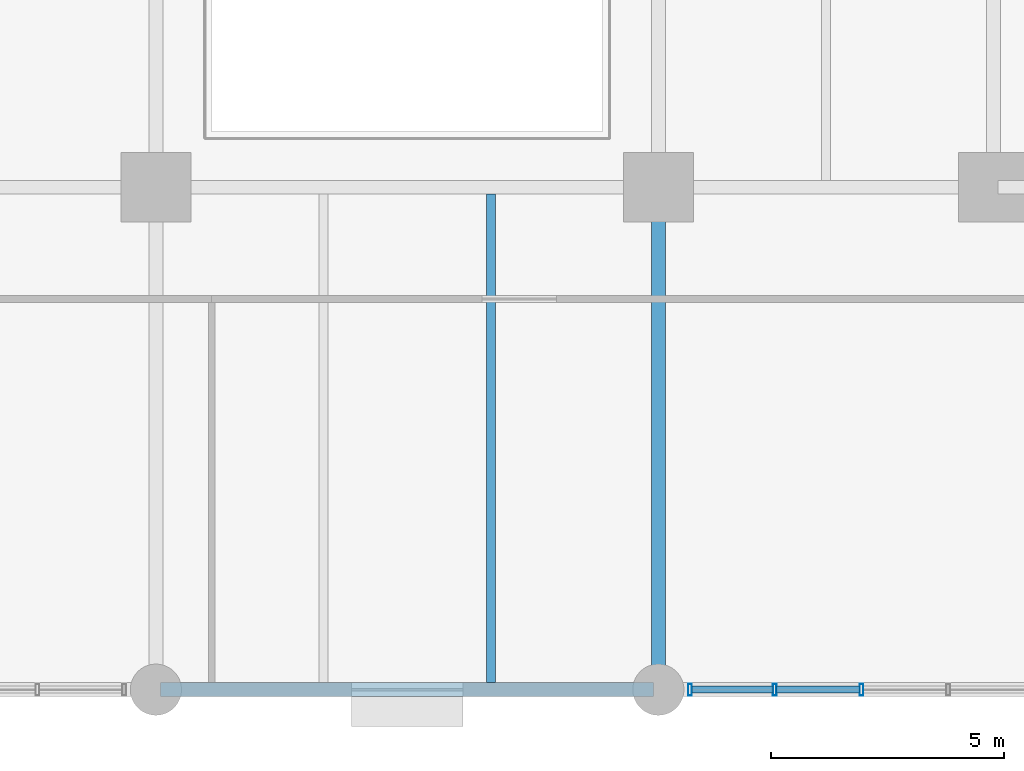
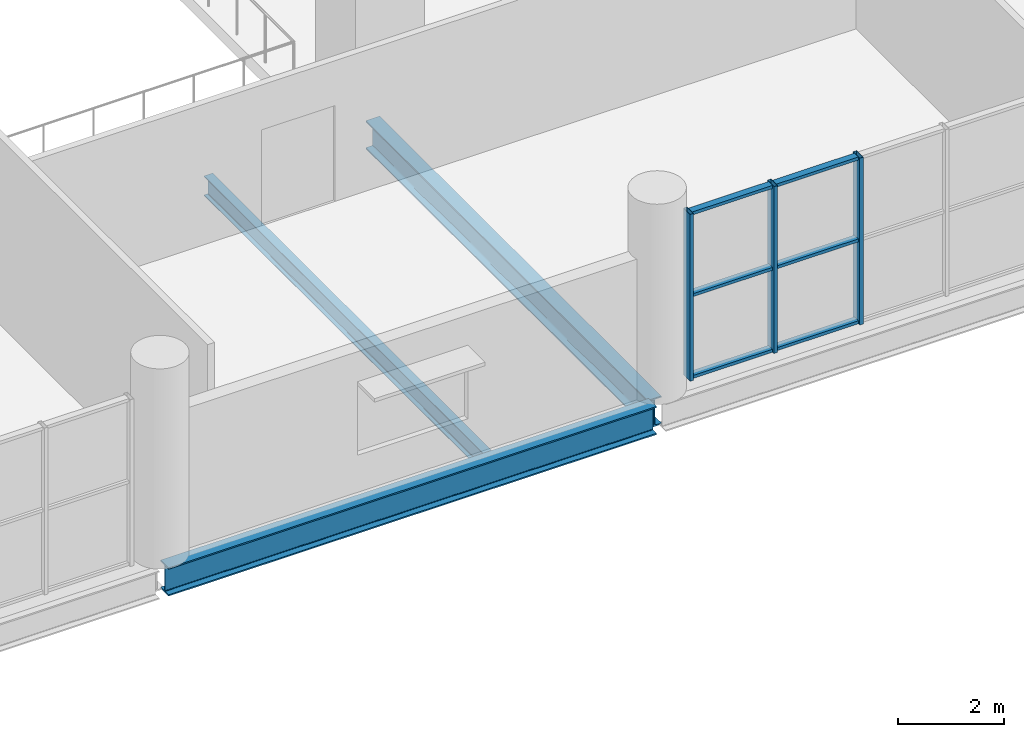
# One storey, part 6 of 16: 9 members, 3 beams, 1 element without a shape of its own.
"""IFC4 building model written with IfcOpenShell, lengths in metres."""

from ifc_helpers import new_model, si_unit, direction, frame, origin, origin_2d, place, context, subcontext, project, spatial, hollow_rectangle, i_section, extrude, material, layer, layer_set, material_profile, profile_set, type_object, element, aggregate, save


model = new_model("IFC4")

# Units and contexts
model_context = context("Model", 3, precision=1e-05, world=origin(), true_north=direction((0.0, 1.0)))
body_context = subcontext(model_context, "Body", "Model", "MODEL_VIEW")
ifc_project = project(units=[si_unit("LENGTHUNIT", "METRE"), si_unit("AREAUNIT", "SQUARE_METRE"), si_unit("VOLUMEUNIT", "CUBIC_METRE"), si_unit("PLANEANGLEUNIT", "RADIAN"), si_unit("MASSUNIT", "GRAM", prefix="KILO")], contexts=[model_context])

# Site, building, storey
site_placement = place(None, origin())
site = spatial("IfcSite", under=ifc_project, at=site_placement, CompositionType="ELEMENT")
building_placement = place(site_placement, origin())
building = spatial("IfcBuilding", under=site, at=building_placement, Name="Solnavia Interchange Tower", CompositionType="ELEMENT")
storey_placement = place(building_placement, frame((0.0, 0.0, 10.199951171875)))
storey = spatial("IfcBuildingStorey", under=building, at=storey_placement, Name="L02", CompositionType="ELEMENT", Elevation=10.199951171875)

# Beams
ifc_material_1 = material(Name="Steel S460", Category="steel")
ifc_material_profile_1 = material_profile(ifc_material_1, i_section(OverallWidth=0.300048828125, OverallDepth=0.64990234375, WebThickness=0.01611328125, FlangeThickness=0.031005859375, FilletRadius=0.027099609375, at=origin_2d()), Name="HEB 650")
ifc_profile_set_1 = profile_set([ifc_material_profile_1], Name="Steel S460")
beam_type_1 = type_object("IfcBeamType", Name="Beam-Girder-HEB650", PredefinedType="BEAM", material=ifc_profile_set_1)
for number, where, z_axis, x_axis, name in (
    (1, (43.300048828125, 0.0, -0.625), (1.0, 0.0, 0.0), (0.0, 1.0, 0.0), "GRD-L02-05 Podium primary girder"),
    (2, (54.0, 0.10009765625, -0.625), (0.0, 1.0, 0.0), (-1.0, 0.0, 0.0), "GRD-L02-67 Podium primary girder"),
):
    element("IfcBeam", number, at=place(storey_placement, frame(where, z_axis=z_axis, x_axis=x_axis)), inside=storey, type_object=beam_type_1, Name=name, PredefinedType="BEAM", context=body_context, shape_type="SweptSolid", body=[
        extrude(i_section(OverallWidth=0.300048828125, OverallDepth=0.64990234375, WebThickness=0.01611328125, FlangeThickness=0.031005859375, FilletRadius=0.027099609375, at=origin_2d()), origin(), (0.0, 0.0, 1.0), 10.599853515625),
    ])
ifc_material_2 = material(Name="Steel S355", Category="steel")
ifc_material_profile_2 = material_profile(ifc_material_2, i_section(OverallWidth=0.18994140625, OverallDepth=0.449951171875, WebThickness=0.009521484375, FlangeThickness=0.0146484375, FilletRadius=0.02099609375, at=origin_2d()), Name="IPE 450")
ifc_profile_set_2 = profile_set([ifc_material_profile_2], Name="Steel S355")
beam_type_2 = type_object("IfcBeamType", Name="Beam-Joist-IPE450", PredefinedType="JOIST", material=ifc_profile_set_2)
beam_placement = place(storey_placement, frame((50.39990234375, 0.14990234375, -0.52490234375), z_axis=(0.0, 1.0, 0.0), x_axis=(-1.0, 0.0, 0.0)))
element("IfcBeam", 3, at=beam_placement, inside=storey, type_object=beam_type_2, Name="JST-L02-31 Podium composite floor joist", PredefinedType="JOIST", context=body_context, shape_type="SweptSolid", body=[
    extrude(i_section(OverallWidth=0.18994140625, OverallDepth=0.449951171875, WebThickness=0.009521484375, FlangeThickness=0.0146484375, FilletRadius=0.02099609375, at=origin_2d()), origin(), (0.0, 0.0, 1.0), 10.5),
])

# Curtain wall, members
ifc_material_3 = material(Name="Aluminium Alloy 6063-T6", Category="aluminium")
ifc_layer = layer(ifc_material_3, 0.27001953125)
ifc_layer_set = layer_set([ifc_layer], Name="Aluminium Alloy 6063-T6")
curtain_wall_type = type_object("IfcCurtainWallType", Name="CurtainWall-Podium-CTW1", PredefinedType="NOTDEFINED", material=ifc_layer_set)
curtain_wall_placement = place(storey_placement, origin())
curtain_wall = element("IfcCurtainWall", 4, at=curtain_wall_placement, inside=storey, type_object=curtain_wall_type, Name="CTW-L02-S06 CTW-1 curtain wall", PredefinedType="NOTDEFINED")
ifc_material_profile_3 = material_profile(ifc_material_3, hollow_rectangle(XDim=0.080078125, YDim=0.25, WallThickness=0.006103515625, at=origin_2d()), Name="ALU 250x80x6")
ifc_profile_set_3 = profile_set([ifc_material_profile_3], Name="Aluminium Alloy 6063-T6")
member_type_1 = type_object("IfcMemberType", Name="CW-Mullion-CWM-1", PredefinedType="MULLION", material=ifc_profile_set_3)
member_1_placement = place(storey_placement, frame((58.367919921875, 0.0, 0.0), z_axis=(0.0, 0.0, 1.0), x_axis=(-1.0, 0.0, 0.0)))
member_1 = element("IfcMember", 5, at=member_1_placement, type_object=member_type_1, Name="CTW-1 mullion 4", PredefinedType="MULLION", context=body_context, shape_type="SweptSolid", body=[
    extrude(hollow_rectangle(XDim=0.080078125, YDim=0.25, WallThickness=0.006103515625, at=origin_2d()), origin(), (0.0, 0.0, 1.0), 3.830078125),
])
member_2_placement = place(storey_placement, frame((56.50390625, 0.0, 0.0), z_axis=(0.0, 0.0, 1.0), x_axis=(-1.0, 0.0, 0.0)))
member_2 = element("IfcMember", 6, at=member_2_placement, type_object=member_type_1, Name="CTW-1 mullion 5", PredefinedType="MULLION", context=body_context, shape_type="SweptSolid", body=[
    extrude(hollow_rectangle(XDim=0.080078125, YDim=0.25, WallThickness=0.006103515625, at=origin_2d()), origin(), (0.0, 0.0, 1.0), 3.830078125),
])
member_3_placement = place(storey_placement, frame((54.679931640625, 0.0, 0.0), z_axis=(0.0, 0.0, 1.0), x_axis=(-1.0, 0.0, 0.0)))
member_3 = element("IfcMember", 7, at=member_3_placement, type_object=member_type_1, Name="CTW-1 mullion 6", PredefinedType="MULLION", context=body_context, shape_type="SweptSolid", body=[
    extrude(hollow_rectangle(XDim=0.080078125, YDim=0.25, WallThickness=0.006103515625, at=origin_2d()), origin(), (0.0, 0.0, 1.0), 3.830078125),
])
ifc_material_profile_4 = material_profile(ifc_material_3, hollow_rectangle(XDim=0.070068359375, YDim=0.14990234375, WallThickness=0.00439453125, at=origin_2d()), Name="ALU 150x70x4.5")
ifc_profile_set_4 = profile_set([ifc_material_profile_4], Name="Aluminium Alloy 6063-T6")
member_type_2 = type_object("IfcMemberType", Name="CW-Transom-CWT-1", PredefinedType="USERDEFINED", material=ifc_profile_set_4)
member_4_placement = place(storey_placement, frame((58.327880859375, 0.0, 0.03515625), z_axis=(-1.0, 0.0, 0.0), x_axis=(0.0, 0.0, 1.0)))
member_4 = element("IfcMember", 8, at=member_4_placement, type_object=member_type_2, Name="CTW-1 transom 4.1", ObjectType="TRANSOM", PredefinedType="USERDEFINED", context=body_context, shape_type="SweptSolid", body=[
    extrude(hollow_rectangle(XDim=0.070068359375, YDim=0.14990234375, WallThickness=0.00439453125, at=origin_2d()), origin(), (0.0, 0.0, 1.0), 1.783935546875),
])
member_5_placement = place(storey_placement, frame((58.327880859375, 0.0, 1.9150390625), z_axis=(-1.0, 0.0, 0.0), x_axis=(0.0, 0.0, 1.0)))
member_5 = element("IfcMember", 9, at=member_5_placement, type_object=member_type_2, Name="CTW-1 transom 4.2", ObjectType="TRANSOM", PredefinedType="USERDEFINED", context=body_context, shape_type="SweptSolid", body=[
    extrude(hollow_rectangle(XDim=0.070068359375, YDim=0.14990234375, WallThickness=0.00439453125, at=origin_2d()), origin(), (0.0, 0.0, 1.0), 1.783935546875),
])
member_6_placement = place(storey_placement, frame((58.327880859375, 0.0, 3.795166015625), z_axis=(-1.0, 0.0, 0.0), x_axis=(0.0, 0.0, 1.0)))
member_6 = element("IfcMember", 10, at=member_6_placement, type_object=member_type_2, Name="CTW-1 transom 4.3", ObjectType="TRANSOM", PredefinedType="USERDEFINED", context=body_context, shape_type="SweptSolid", body=[
    extrude(hollow_rectangle(XDim=0.070068359375, YDim=0.14990234375, WallThickness=0.00439453125, at=origin_2d()), origin(), (0.0, 0.0, 1.0), 1.783935546875),
])
member_7_placement = place(storey_placement, frame((56.464111328125, 0.0, 0.03515625), z_axis=(-1.0, 0.0, 0.0), x_axis=(0.0, 0.0, 1.0)))
member_7 = element("IfcMember", 11, at=member_7_placement, type_object=member_type_2, Name="CTW-1 transom 5.1", ObjectType="TRANSOM", PredefinedType="USERDEFINED", context=body_context, shape_type="SweptSolid", body=[
    extrude(hollow_rectangle(XDim=0.070068359375, YDim=0.14990234375, WallThickness=0.00439453125, at=origin_2d()), origin(), (0.0, 0.0, 1.0), 1.744140625),
])
member_8_placement = place(storey_placement, frame((56.464111328125, 0.0, 1.9150390625), z_axis=(-1.0, 0.0, 0.0), x_axis=(0.0, 0.0, 1.0)))
member_8 = element("IfcMember", 12, at=member_8_placement, type_object=member_type_2, Name="CTW-1 transom 5.2", ObjectType="TRANSOM", PredefinedType="USERDEFINED", context=body_context, shape_type="SweptSolid", body=[
    extrude(hollow_rectangle(XDim=0.070068359375, YDim=0.14990234375, WallThickness=0.00439453125, at=origin_2d()), origin(), (0.0, 0.0, 1.0), 1.744140625),
])
member_9_placement = place(storey_placement, frame((56.464111328125, 0.0, 3.795166015625), z_axis=(-1.0, 0.0, 0.0), x_axis=(0.0, 0.0, 1.0)))
member_9 = element("IfcMember", 13, at=member_9_placement, type_object=member_type_2, Name="CTW-1 transom 5.3", ObjectType="TRANSOM", PredefinedType="USERDEFINED", context=body_context, shape_type="SweptSolid", body=[
    extrude(hollow_rectangle(XDim=0.070068359375, YDim=0.14990234375, WallThickness=0.00439453125, at=origin_2d()), origin(), (0.0, 0.0, 1.0), 1.744140625),
])
aggregate(curtain_wall, [member_1, member_2, member_3, member_4, member_5, member_6, member_7, member_8, member_9])

save(model, "model.ifc")
